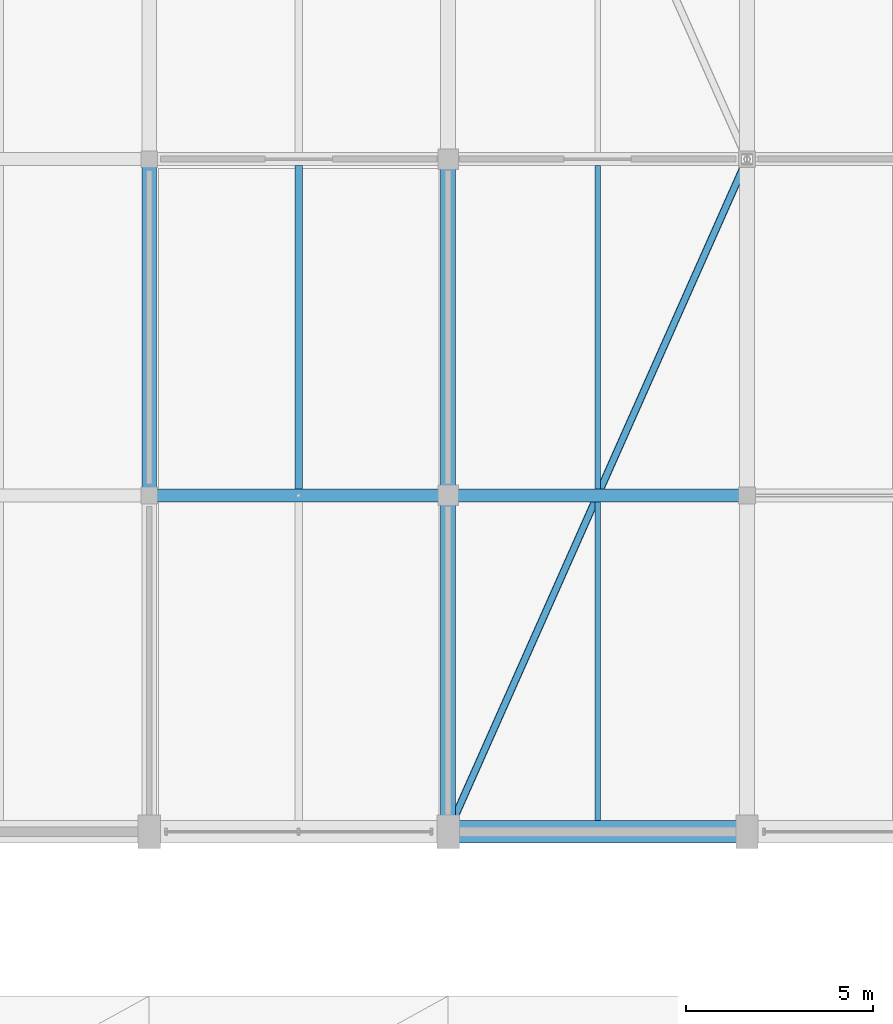
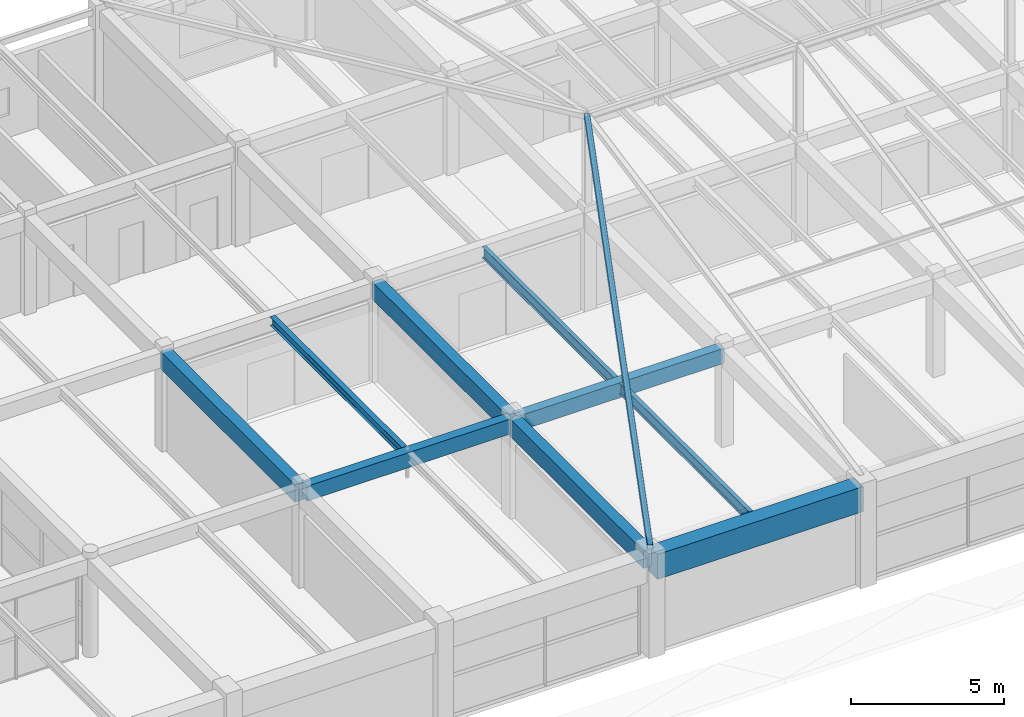
# One storey, part 63 of 126: 9 beams, 1 member.
"""IFC4 building model written with IfcOpenShell, lengths in metres."""

from ifc_helpers import new_model, si_unit, direction, frame, origin, origin_2d, place, context, subcontext, project, spatial, rectangle, hollow_rectangle, i_section, extrude, material, material_profile, profile_set, type_object, element, save


model = new_model("IFC4")

# Units and contexts
model_context = context("Model", 3, precision=1e-05, world=origin(), true_north=direction((0.0, 1.0)))
body_context = subcontext(model_context, "Body", "Model", "MODEL_VIEW")
ifc_project = project(units=[si_unit("LENGTHUNIT", "METRE"), si_unit("AREAUNIT", "SQUARE_METRE"), si_unit("VOLUMEUNIT", "CUBIC_METRE"), si_unit("PLANEANGLEUNIT", "RADIAN"), si_unit("MASSUNIT", "GRAM", prefix="KILO")], contexts=[model_context])

# Site, building, storey
site_placement = place(None, origin())
site = spatial("IfcSite", under=ifc_project, at=site_placement, CompositionType="ELEMENT")
building_placement = place(site_placement, origin())
building = spatial("IfcBuilding", under=site, at=building_placement, Name="Varnabhumi Central Station", CompositionType="ELEMENT")
storey_placement = place(building_placement, frame((0.0, 0.0, 16.199951171875)))
storey = spatial("IfcBuildingStorey", under=building, at=storey_placement, Name="L03", CompositionType="ELEMENT", Elevation=16.199951171875)

# Beams
ifc_material_1 = material(Name="Structural steel E350", Category="steel")
ifc_material_profile_1 = material_profile(ifc_material_1, i_section(OverallWidth=0.14990234375, OverallDepth=0.449951171875, WebThickness=0.009521484375, FlangeThickness=0.017333984375, FilletRadius=0.014892578125, at=origin_2d()), Name="Structural steel E350", Category="steel")
ifc_profile_set_1 = profile_set([ifc_material_profile_1], Name="Structural steel E350")
beam_type_1 = type_object("IfcBeamType", Name="BM-JST-ISMB450", PredefinedType="JOIST", material=ifc_profile_set_1)
beam_1_placement = place(storey_placement, frame((100.0, 80.300048828125, 3.72509765625), z_axis=(0.0, 1.0, 0.0), x_axis=(-1.0, 0.0, 0.0)))
element("IfcBeam", 1, at=beam_1_placement, inside=storey, type_object=beam_type_1, Name="Secondary Joist L03-13/14:K-L", PredefinedType="JOIST", context=body_context, shape_type="SweptSolid", body=[
    extrude(i_section(OverallWidth=0.14990234375, OverallDepth=0.449951171875, WebThickness=0.009521484375, FlangeThickness=0.017333984375, FilletRadius=0.014892578125, at=origin_2d()), origin(), (0.0, 0.0, 1.0), 8.52490234375),
])
beam_2_placement = place(storey_placement, frame((100.0, 89.175048828125, 3.72509765625), z_axis=(0.0, 1.0, 0.0), x_axis=(-1.0, 0.0, 0.0)))
element("IfcBeam", 2, at=beam_2_placement, inside=storey, type_object=beam_type_1, Name="Secondary Joist L03-13/14:L-M", PredefinedType="JOIST", context=body_context, shape_type="SweptSolid", body=[
    extrude(i_section(OverallWidth=0.14990234375, OverallDepth=0.449951171875, WebThickness=0.009521484375, FlangeThickness=0.017333984375, FilletRadius=0.014892578125, at=origin_2d()), origin(), (0.0, 0.0, 1.0), 8.64990234375),
])
ifc_material_2 = material(Name="Concrete M40", Category="concrete")
ifc_material_profile_2 = material_profile(ifc_material_2, rectangle(XDim=0.35009765625, YDim=0.60009765625, at=origin_2d()), Name="Concrete M40", Category="concrete")
ifc_profile_set_2 = profile_set([ifc_material_profile_2], Name="Concrete M40")
beam_type_2 = type_object("IfcBeamType", Name="BM-RC-350x600", PredefinedType="BEAM", material=ifc_profile_set_2)
for number, where, z_axis, x_axis, name in (
    (3, (88.10009765625, 89.0, 3.650146484375), (1.0, 0.0, 0.0), (0.0, 1.0, 0.0), "Beam L03-L:12-13"),
    (4, (96.10009765625, 89.0, 3.650146484375), (1.0, 0.0, 0.0), (0.0, 1.0, 0.0), "Beam L03-L:13-14"),
):
    element("IfcBeam", number, at=place(storey_placement, frame(where, z_axis=z_axis, x_axis=x_axis)), inside=storey, type_object=beam_type_2, Name=name, PredefinedType="BEAM", context=body_context, shape_type="SweptSolid", body=[
        extrude(rectangle(XDim=0.35009765625, YDim=0.60009765625, at=origin_2d()), origin(), (0.0, 0.0, 1.0), 7.7998046875),
    ])
ifc_material_3 = material(Name="Concrete M50", Category="concrete")
ifc_material_profile_3 = material_profile(ifc_material_3, rectangle(XDim=0.60009765625, YDim=1.0, at=origin_2d()), Name="Concrete M50", Category="concrete")
ifc_profile_set_3 = profile_set([ifc_material_profile_3], Name="Concrete M50")
beam_type_3 = type_object("IfcBeamType", Name="BM-RC-600x1000", PredefinedType="BEAM", material=ifc_profile_set_3)
beam_3_placement = place(storey_placement, frame((96.10009765625, 80.0, 3.449951171875), z_axis=(1.0, 0.0, 0.0), x_axis=(0.0, 1.0, 0.0)))
element("IfcBeam", 5, at=beam_3_placement, inside=storey, type_object=beam_type_3, Name="Beam L03-K:13-14", PredefinedType="BEAM", context=body_context, shape_type="SweptSolid", body=[
    extrude(rectangle(XDim=0.60009765625, YDim=1.0, at=origin_2d()), origin(), (0.0, 0.0, 1.0), 7.7998046875),
])
ifc_material_profile_4 = material_profile(ifc_material_2, rectangle(XDim=0.39990234375, YDim=0.699951171875, at=origin_2d()), Name="Concrete M40", Category="concrete")
ifc_profile_set_4 = profile_set([ifc_material_profile_4], Name="Concrete M40")
beam_type_4 = type_object("IfcBeamType", Name="BM-RC-700x400", PredefinedType="BEAM", material=ifc_profile_set_4)
for number, where, z_axis, x_axis, name in (
    (6, (96.0, 80.10009765625, 3.60009765625), (0.0, 1.0, 0.0), (-1.0, 0.0, 0.0), "Beam L03-13:K-L"),
    (7, (88.0, 89.10009765625, 3.60009765625), (0.0, 1.0, 0.0), (-1.0, 0.0, 0.0), "Beam L03-12:L-M"),
    (8, (96.0, 89.10009765625, 3.60009765625), (0.0, 1.0, 0.0), (-1.0, 0.0, 0.0), "Beam L03-13:L-M"),
):
    element("IfcBeam", number, at=place(storey_placement, frame(where, z_axis=z_axis, x_axis=x_axis)), inside=storey, type_object=beam_type_4, Name=name, PredefinedType="BEAM", context=body_context, shape_type="SweptSolid", body=[
        extrude(rectangle(XDim=0.39990234375, YDim=0.699951171875, at=origin_2d()), origin(), (0.0, 0.0, 1.0), 8.7998046875),
    ])
ifc_material_profile_5 = material_profile(ifc_material_1, i_section(OverallWidth=0.199951171875, OverallDepth=0.35009765625, WebThickness=0.008056640625, FlangeThickness=0.011474609375, FilletRadius=0.011962890625, at=origin_2d()), Name="Structural steel E350", Category="steel")
ifc_profile_set_5 = profile_set([ifc_material_profile_5], Name="Structural steel E350")
beam_type_5 = type_object("IfcBeamType", Name="BM-STL-ISWB350", PredefinedType="JOIST", material=ifc_profile_set_5)
beam_4_placement = place(storey_placement, frame((92.0, 89.175048828125, 3.775146484375), z_axis=(0.0, 1.0, 0.0), x_axis=(-1.0, 0.0, 0.0)))
element("IfcBeam", 9, at=beam_4_placement, inside=storey, type_object=beam_type_5, Name="Secondary Joist L03-12/13:L-M", PredefinedType="JOIST", context=body_context, shape_type="SweptSolid", body=[
    extrude(i_section(OverallWidth=0.199951171875, OverallDepth=0.35009765625, WebThickness=0.008056640625, FlangeThickness=0.011474609375, FilletRadius=0.011962890625, at=origin_2d()), origin(), (0.0, 0.0, 1.0), 8.64990234375),
])

# Member
ifc_material_profile_6 = material_profile(ifc_material_1, hollow_rectangle(XDim=0.199951171875, YDim=0.199951171875, WallThickness=0.010009765625, InnerFilletRadius=0.010009765625, OuterFilletRadius=0.02001953125, at=origin_2d()), Name="Structural steel E350", Category="steel")
ifc_profile_set_6 = profile_set([ifc_material_profile_6], Name="Structural steel E350")
member_type = type_object("IfcMemberType", Name="MBR-RAFT-SHS200", PredefinedType="RAFTER", material=ifc_profile_set_6)
member_placement = place(storey_placement, frame((96.0, 80.0, 4.110107421875), z_axis=(0.399698916942, 0.899322563119, 0.177368833961), x_axis=(-0.91381154862, 0.406138466053, 0.0)))
element("IfcMember", 10, at=member_placement, inside=storey, type_object=member_type, Name="Mission Roof Hip Rafter NW4-ES", PredefinedType="RAFTER", context=body_context, shape_type="SweptSolid", body=[
    extrude(hollow_rectangle(XDim=0.199951171875, YDim=0.199951171875, WallThickness=0.010009765625, InnerFilletRadius=0.010009765625, OuterFilletRadius=0.02001953125, at=origin_2d()), origin(), (0.0, 0.0, 1.0), 20.01513671875),
])

save(model, "model.ifc")
